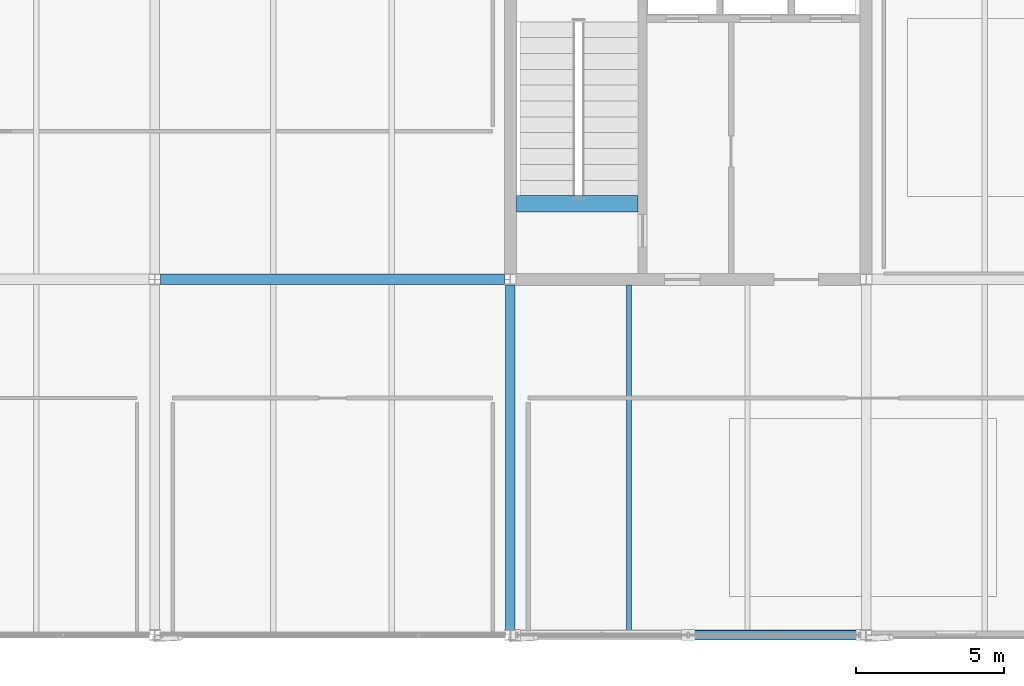
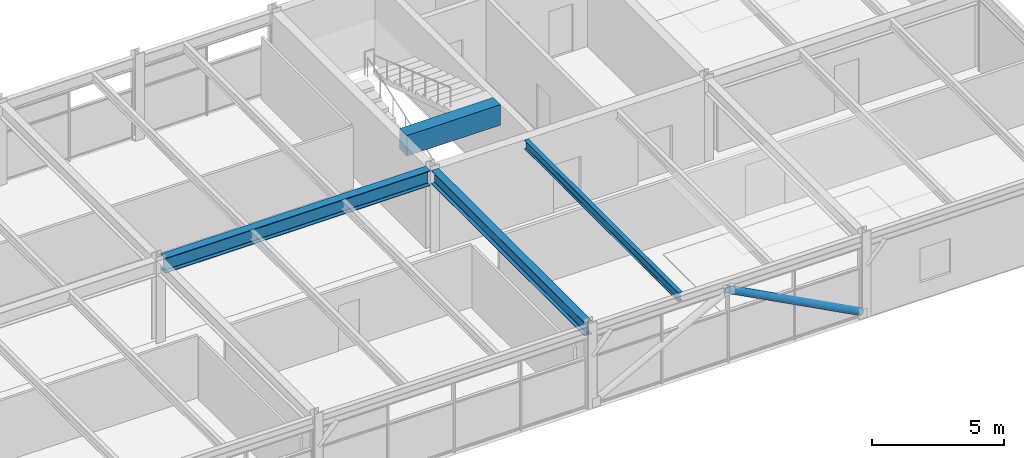
# One storey, part 28 of 40: 4 beams, 1 member.
"""IFC4 building model written with IfcOpenShell, lengths in metres."""

from ifc_helpers import new_model, si_unit, direction, frame, origin, origin_2d, place, context, subcontext, project, spatial, rectangle, hollow_circle, i_section, extrude, material, material_profile, profile_set, type_object, element, save


model = new_model("IFC4")

# Units and contexts
model_context = context("Model", 3, precision=1e-05, world=origin(), true_north=direction((0.0, 1.0)))
body_context = subcontext(model_context, "Body", "Model", "MODEL_VIEW")
ifc_project = project(units=[si_unit("LENGTHUNIT", "METRE"), si_unit("AREAUNIT", "SQUARE_METRE"), si_unit("VOLUMEUNIT", "CUBIC_METRE"), si_unit("PLANEANGLEUNIT", "RADIAN"), si_unit("MASSUNIT", "GRAM", prefix="KILO")], contexts=[model_context])

# Site, building, storey
site_placement = place(None, origin())
site = spatial("IfcSite", under=ifc_project, at=site_placement, CompositionType="ELEMENT")
building_placement = place(site_placement, origin())
building = spatial("IfcBuilding", under=site, at=building_placement, Name="Girod Span Mobility Hub", CompositionType="ELEMENT")
storey_placement = place(building_placement, frame((0.0, 0.0, 53.60009765625)))
storey = spatial("IfcBuildingStorey", under=building, at=storey_placement, Name="L13", CompositionType="ELEMENT", Elevation=53.60009765625)

# Beams
ifc_material_1 = material(Name="Concrete C40/50", Category="concrete")
ifc_material_profile_1 = material_profile(ifc_material_1, rectangle(XDim=0.550048828125, YDim=0.949951171875, at=origin_2d()), Name="RK-550X950")
ifc_profile_set_1 = profile_set([ifc_material_profile_1], Name="Concrete C40/50")
beam_type_1 = type_object("IfcBeamType", Name="BM-RK-550X950", PredefinedType="BEAM", material=ifc_profile_set_1)
beam_1_placement = place(storey_placement, frame((108.197021484375, 59.550048828125, 3.33984375), z_axis=(1.0, 0.0, 0.0), x_axis=(0.0, 1.0, 0.0)))
element("IfcBeam", 1, at=beam_1_placement, inside=storey, type_object=beam_type_1, Name="Stair ST-2 Landing Header Beam L13", PredefinedType="BEAM", context=body_context, shape_type="SweptSolid", body=[
    extrude(rectangle(XDim=0.550048828125, YDim=0.949951171875, at=origin_2d()), origin(), (0.0, 0.0, 1.0), 4.10595703125),
])
ifc_material_2 = material(Name="Steel A992 Grade 50", Category="steel")
ifc_material_profile_2 = material_profile(ifc_material_2, i_section(OverallWidth=0.178955078125, OverallDepth=0.409912109375, WebThickness=0.0087890625, FlangeThickness=0.014404296875, FilletRadius=0.012939453125, at=origin_2d()), Name="W16X45")
ifc_profile_set_2 = profile_set([ifc_material_profile_2], Name="Steel A992 Grade 50")
beam_type_2 = type_object("IfcBeamType", Name="BM-STL-W16X45", PredefinedType="BEAM", material=ifc_profile_set_2)
beam_2_placement = place(storey_placement, frame((112.0, 45.10302734375, 3.60986328125), z_axis=(0.0, 1.0, 0.0), x_axis=(-1.0, 0.0, 0.0)))
element("IfcBeam", 2, at=beam_2_placement, inside=storey, type_object=beam_type_2, Name="Composite Floorbeam 10/D-1 L13", PredefinedType="BEAM", context=body_context, shape_type="SweptSolid", body=[
    extrude(i_section(OverallWidth=0.178955078125, OverallDepth=0.409912109375, WebThickness=0.0087890625, FlangeThickness=0.014404296875, FilletRadius=0.012939453125, at=origin_2d()), origin(), (0.0, 0.0, 1.0), 11.699951171875),
])
ifc_material_3 = material(Name="Steel A992 Grade 50", Category="steel")
ifc_material_profile_3 = material_profile(ifc_material_3, i_section(OverallWidth=0.323974609375, OverallDepth=0.611083984375, WebThickness=0.0126953125, FlangeThickness=0.01904296875, FilletRadius=0.014892578125, at=origin_2d()), Name="W24X104")
ifc_profile_set_3 = profile_set([ifc_material_profile_3], Name="Steel A992 Grade 50")
beam_type_3 = type_object("IfcBeamType", Name="BM-STL-W24X104", PredefinedType="BEAM", material=ifc_profile_set_3)
beam_3_placement = place(storey_placement, frame((108.0, 45.175048828125, 3.509521484375), z_axis=(0.0, 1.0, 0.0), x_axis=(-1.0, 0.0, 0.0)))
element("IfcBeam", 3, at=beam_3_placement, inside=storey, type_object=beam_type_3, Name="Tie Girder 10/D-E L13", PredefinedType="BEAM", context=body_context, shape_type="SweptSolid", body=[
    extrude(i_section(OverallWidth=0.323974609375, OverallDepth=0.611083984375, WebThickness=0.0126953125, FlangeThickness=0.01904296875, FilletRadius=0.014892578125, at=origin_2d()), origin(), (0.0, 0.0, 1.0), 11.640380859375),
])
ifc_material_4 = material(Name="Steel A992 Grade 50", Category="steel")
ifc_material_profile_4 = material_profile(ifc_material_4, i_section(OverallWidth=0.35498046875, OverallDepth=0.695068359375, WebThickness=0.015380859375, FlangeThickness=0.02490234375, FilletRadius=0.01806640625, at=origin_2d()), Name="W27X146")
ifc_profile_set_4 = profile_set([ifc_material_profile_4], Name="Steel A992 Grade 50")
beam_type_4 = type_object("IfcBeamType", Name="BM-STL-W27X146", PredefinedType="BEAM", material=ifc_profile_set_4)
beam_4_placement = place(storey_placement, frame((96.194091796875, 57.0, 3.46728515625), z_axis=(1.0, 0.0, 0.0), x_axis=(0.0, 1.0, 0.0)))
element("IfcBeam", 4, at=beam_4_placement, inside=storey, type_object=beam_type_4, Name="Girder 9-10/E L13", PredefinedType="BEAM", context=body_context, shape_type="SweptSolid", body=[
    extrude(i_section(OverallWidth=0.35498046875, OverallDepth=0.695068359375, WebThickness=0.015380859375, FlangeThickness=0.02490234375, FilletRadius=0.01806640625, at=origin_2d()), origin(), (0.0, 0.0, 1.0), 11.61181640625),
])

# Member
ifc_material_5 = material(Name="Steel HSS A500 Grade C", Category="steel")
ifc_material_profile_5 = material_profile(ifc_material_5, hollow_circle(Radius=0.162109375, WallThickness=0.01171875, at=origin_2d()), Name="HSS324X12.7")
ifc_profile_set_5 = profile_set([ifc_material_profile_5], Name="Steel HSS A500 Grade C")
member_type = type_object("IfcMemberType", Name="MB-BR-HSS324", PredefinedType="BRACE", material=ifc_profile_set_5)
member_placement = place(storey_placement, frame((119.83544921875, 45.0, 0.25), z_axis=(-0.884322806582, 0.0, 0.466875972565), x_axis=(0.0, -1.0, 0.0)))
element("IfcMember", 5, at=member_placement, inside=storey, type_object=member_type, Name="Upper Diagrid Brace 10/D-R L13", PredefinedType="BRACE", context=body_context, shape_type="SweptSolid", body=[
    extrude(hollow_circle(Radius=0.162109375, WallThickness=0.01171875, at=origin_2d()), origin(), (0.0, 0.0, 1.0), 6.598876953125),
])

save(model, "model.ifc")
